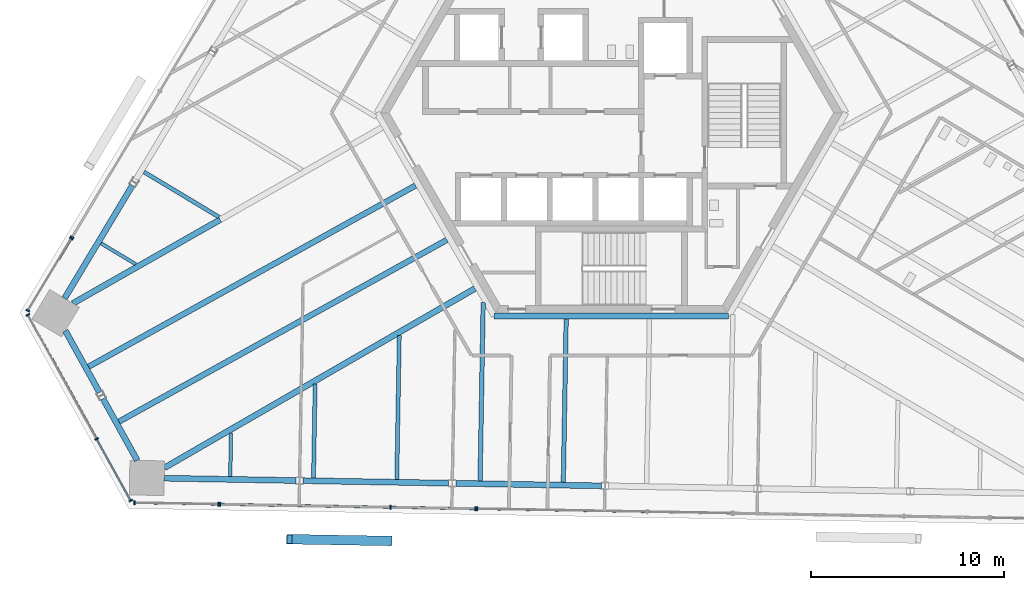
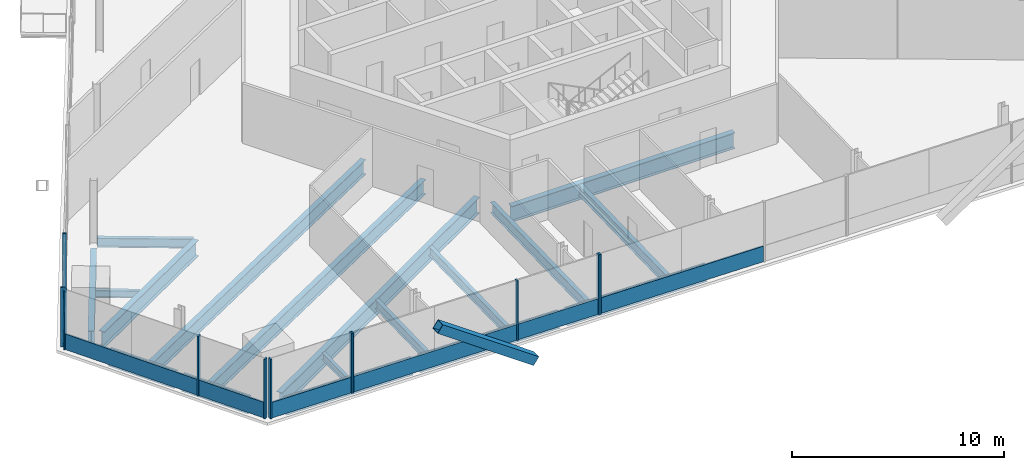
# One storey, part 4 of 19: 20 members, 18 beams, 6 elements without a shape of their own.
"""IFC4 building model written with IfcOpenShell, lengths in metres."""

from ifc_helpers import new_model, si_unit, direction, frame, origin, origin_2d, place, context, subcontext, project, spatial, rectangle, hollow_rectangle, i_section, extrude, source, transform, mapped, material, material_profile, profile_set, type_object, element, aggregate, save


model = new_model("IFC4")

# Units and contexts
model_context = context("Model", 3, precision=1e-05, world=origin(), true_north=direction((0.0, 1.0)))
body_context = subcontext(model_context, "Body", "Model", "MODEL_VIEW")
ifc_project = project(units=[si_unit("LENGTHUNIT", "METRE"), si_unit("AREAUNIT", "SQUARE_METRE"), si_unit("VOLUMEUNIT", "CUBIC_METRE"), si_unit("PLANEANGLEUNIT", "RADIAN"), si_unit("MASSUNIT", "GRAM", prefix="KILO")], contexts=[model_context])

# Site, building, storey
site_placement = place(None, origin())
site = spatial("IfcSite", under=ifc_project, at=site_placement, CompositionType="ELEMENT")
building_placement = place(site_placement, origin())
building = spatial("IfcBuilding", under=site, at=building_placement, Name="Triune Harvest Tower", CompositionType="ELEMENT")
storey_placement = place(building_placement, frame((0.0, 0.0, 205.10009765625)))
storey = spatial("IfcBuildingStorey", under=building, at=storey_placement, Name="L53", CompositionType="ELEMENT", Elevation=205.10009765625)

# Curtain wall, member
ifc_material_1 = material(Name="Aluminium bronze anodised", Category="aluminium")
curtain_wall_type_1 = type_object("IfcCurtainWallType", Name="CW-6 Balcony window wall", PredefinedType="NOTDEFINED", material=ifc_material_1)
curtain_wall_1_placement = place(storey_placement, origin())
curtain_wall_1 = element("IfcCurtainWall", 1, at=curtain_wall_1_placement, inside=storey, type_object=curtain_wall_type_1, Name="CW-6 B5-F3 L53 run 2002")
ifc_material_2 = material(Name="Aluminium bronze anodised", Category="aluminium")
ifc_material_profile_1 = material_profile(ifc_material_2, rectangle(XDim=0.090087890625, YDim=0.14990234375, at=origin_2d()), Name="TR-6 transom 90 x 150")
ifc_profile_set_1 = profile_set([ifc_material_profile_1], Name="Aluminium bronze anodised")
member_type_1 = type_object("IfcMemberType", Name="TR-6 transom 90 x 150", PredefinedType="USERDEFINED", material=ifc_profile_set_1)
member_1_placement = place(storey_placement, frame((-28.06201171875, -6.556396484375, 0.074951171875), z_axis=(-0.51505565598, -0.857156736684, 0.0), x_axis=(0.857156736684, -0.51505565598, 0.0)))
member_1 = element("IfcMember", 2, at=member_1_placement, type_object=member_type_1, Name="CW-6 transom B5-F3 2002.1", ObjectType="TRANSOM", PredefinedType="USERDEFINED", context=body_context, shape_type="SweptSolid", body=[
    extrude(rectangle(XDim=0.090087890625, YDim=0.14990234375, at=origin_2d()), origin(), (0.0, 0.0, 1.0), 4.29541015625),
])

# Beams
ifc_material_3 = material(Name="Steel ASTM A992 Gr 50", Category="steel")
ifc_material_profile_2 = material_profile(ifc_material_3, i_section(OverallWidth=0.3046875, OverallDepth=0.914306640625, WebThickness=0.0166015625, FlangeThickness=0.02587890625, at=origin_2d()), Name="W36x160")
ifc_profile_set_2 = profile_set([ifc_material_profile_2], Name="Steel ASTM A992 Gr 50")
beam_type_1 = type_object("IfcBeamType", Name="CG-1 Core ring girder W36x160", PredefinedType="BEAM", material=ifc_profile_set_2)
shared_shape_1 = source(origin(), body_context, "Body", "SweptSolid", [
    extrude(i_section(OverallWidth=0.3046875, OverallDepth=0.914306640625, WebThickness=0.0166015625, FlangeThickness=0.02587890625, at=origin_2d()), origin(), (0.0, 0.0, 1.0), 12.17578125),
])
beam_1_placement = place(storey_placement, frame((-6.087890625, -10.544677734375, -0.6171875), z_axis=(1.0, 0.0, 0.0), x_axis=(0.0, 1.0, 0.0)))
element("IfcBeam", 3, at=beam_1_placement, inside=storey, type_object=beam_type_1, Name="beam/L53/CG5", PredefinedType="BEAM", context=body_context, shape_type="MappedRepresentation", body=[
    mapped(shared_shape_1, transform((0.0, 0.0, 0.0), scale=1.0)),
])
ifc_material_4 = material(Name="Steel ASTM A992 Gr 50", Category="steel")
ifc_material_profile_3 = material_profile(ifc_material_4, i_section(OverallWidth=0.3046875, OverallDepth=0.914306640625, WebThickness=0.0166015625, FlangeThickness=0.02587890625, at=origin_2d()), Name="W36x160")
ifc_profile_set_3 = profile_set([ifc_material_profile_3], Name="Steel ASTM A992 Gr 50")
beam_type_2 = type_object("IfcBeamType", Name="SB-1 Spandrel beam W36x160", PredefinedType="SPANDREL", material=ifc_profile_set_3)
shared_shape_2 = source(origin(), body_context, "Body", "SweptSolid", [
    extrude(i_section(OverallWidth=0.3046875, OverallDepth=0.914306640625, WebThickness=0.0166015625, FlangeThickness=0.02587890625, at=origin_2d()), origin(), (0.0, 0.0, 1.0), 6.841796875),
])
for number, where, z_axis, x_axis, name in (
    (4, (-24.86865234375, -3.77001953125, -0.6171875), (-0.515057137128, -0.857155846678, 0.0), (0.857155846678, -0.515057137128, 0.0), "beam/L53/SB14"),
    (5, (-23.21630859375, -18.97265625, -0.6171875), (0.999847751763, -0.01744916312, 0.0), (0.01744916312, 0.999847751763, 0.0), "beam/L53/SB17"),
):
    element("IfcBeam", number, at=place(storey_placement, frame(where, z_axis=z_axis, x_axis=x_axis)), inside=storey, type_object=beam_type_2, Name=name, PredefinedType="SPANDREL", context=body_context, shape_type="MappedRepresentation", body=[
        mapped(shared_shape_2, transform((0.0, 0.0, 0.0), scale=1.0)),
    ])
shared_shape_3 = source(origin(), body_context, "Body", "SweptSolid", [
    extrude(i_section(OverallWidth=0.3046875, OverallDepth=0.914306640625, WebThickness=0.0166015625, FlangeThickness=0.02587890625, at=origin_2d()), origin(), (0.0, 0.0, 1.0), 7.556396484375),
])
for number, where, z_axis, x_axis, name in (
    (6, (-16.0048828125, -19.098388671875, -0.6171875), (0.99984722371, -0.017479394688, 0.0), (0.017479394688, 0.99984722371, 0.0), "beam/L53/SB18"),
    (7, (-8.078857421875, -19.23681640625, -0.6171875), (0.99984722371, -0.017479394688, 0.0), (0.017479394688, 0.99984722371, 0.0), "beam/L53/SB19"),
):
    element("IfcBeam", number, at=place(storey_placement, frame(where, z_axis=z_axis, x_axis=x_axis)), inside=storey, type_object=beam_type_2, Name=name, PredefinedType="SPANDREL", context=body_context, shape_type="MappedRepresentation", body=[
        mapped(shared_shape_3, transform((0.0, 0.0, 0.0), scale=1.0)),
    ])
shared_shape_4 = source(origin(), body_context, "Body", "SweptSolid", [
    extrude(i_section(OverallWidth=0.3046875, OverallDepth=0.914306640625, WebThickness=0.0166015625, FlangeThickness=0.02587890625, at=origin_2d()), origin(), (0.0, 0.0, 1.0), 3.66357421875),
])
beam_2_placement = place(storey_placement, frame((-26.396240234375, -14.84375, -0.6171875), z_axis=(0.484794006312, -0.874628361903, 0.0), x_axis=(0.874628361903, 0.484794006312, 0.0)))
element("IfcBeam", 8, at=beam_2_placement, inside=storey, type_object=beam_type_2, Name="beam/L53/SB16", PredefinedType="SPANDREL", context=body_context, shape_type="MappedRepresentation", body=[
    mapped(shared_shape_4, transform((0.0, 0.0, 0.0), scale=1.0)),
])
shared_shape_5 = source(origin(), body_context, "Body", "SweptSolid", [
    extrude(i_section(OverallWidth=0.3046875, OverallDepth=0.914306640625, WebThickness=0.0166015625, FlangeThickness=0.02587890625, at=origin_2d()), origin(), (0.0, 0.0, 1.0), 3.663818359375),
])
beam_3_placement = place(storey_placement, frame((-28.352294921875, -11.31494140625, -0.6171875), z_axis=(0.484844980499, -0.874600105697, 0.0), x_axis=(0.874600105697, 0.484844980499, 0.0)))
element("IfcBeam", 9, at=beam_3_placement, inside=storey, type_object=beam_type_2, Name="beam/L53/SB15", PredefinedType="SPANDREL", context=body_context, shape_type="MappedRepresentation", body=[
    mapped(shared_shape_5, transform((0.0, 0.0, 0.0), scale=1.0)),
])
ifc_material_5 = material(Name="Steel ASTM A992 Gr 50", Category="steel")
ifc_material_profile_4 = material_profile(ifc_material_5, i_section(OverallWidth=0.307373046875, OverallDepth=0.922119140625, WebThickness=0.018310546875, FlangeThickness=0.030029296875, at=origin_2d()), Name="W36x182")
ifc_profile_set_4 = profile_set([ifc_material_profile_4], Name="Steel ASTM A992 Gr 50")
beam_type_3 = type_object("IfcBeamType", Name="HG-2 Hip girder W36x182", PredefinedType="BEAM", material=ifc_profile_set_4)
shared_shape_6 = source(origin(), body_context, "Body", "SweptSolid", [
    extrude(i_section(OverallWidth=0.307373046875, OverallDepth=0.922119140625, WebThickness=0.018310546875, FlangeThickness=0.030029296875, at=origin_2d()), origin(), (0.0, 0.0, 1.0), 8.79150390625),
])
beam_4_placement = place(storey_placement, frame((-27.958251953125, -9.8955078125, -0.62109375), z_axis=(0.869275144509, 0.494328557883, 0.0), x_axis=(-0.494328557883, 0.869275144509, 0.0)))
element("IfcBeam", 10, at=beam_4_placement, inside=storey, type_object=beam_type_3, Name="beam/L53/HG5", PredefinedType="BEAM", context=body_context, shape_type="MappedRepresentation", body=[
    mapped(shared_shape_6, transform((0.0, 0.0, 0.0), scale=1.0)),
])
shared_shape_7 = source(origin(), body_context, "Body", "SweptSolid", [
    extrude(i_section(OverallWidth=0.307373046875, OverallDepth=0.922119140625, WebThickness=0.018310546875, FlangeThickness=0.030029296875, at=origin_2d()), origin(), (0.0, 0.0, 1.0), 18.616455078125),
])
beam_5_placement = place(storey_placement, frame((-23.206787109375, -18.431884765625, -0.62109375), z_axis=(0.866022449336, 0.50000511722, 0.0), x_axis=(-0.50000511722, 0.866022449336, 0.0)))
element("IfcBeam", 11, at=beam_5_placement, inside=storey, type_object=beam_type_3, Name="beam/L53/HG7", PredefinedType="BEAM", context=body_context, shape_type="MappedRepresentation", body=[
    mapped(shared_shape_7, transform((0.0, 0.0, 0.0), scale=1.0)),
])
ifc_material_6 = material(Name="Steel ASTM A992 Gr 50", Category="steel")
ifc_material_profile_5 = material_profile(ifc_material_6, i_section(OverallWidth=0.22900390625, OverallDepth=0.612060546875, WebThickness=0.011962890625, FlangeThickness=0.01953125, at=origin_2d()), Name="W24x84")
ifc_profile_set_5 = profile_set([ifc_material_profile_5], Name="Steel ASTM A992 Gr 50")
beam_type_4 = type_object("IfcBeamType", Name="JT-3 Floor joist W24x84", PredefinedType="JOIST", material=ifc_profile_set_5)
shared_shape_8 = source(origin(), body_context, "Body", "SweptSolid", [
    extrude(i_section(OverallWidth=0.22900390625, OverallDepth=0.612060546875, WebThickness=0.011962890625, FlangeThickness=0.01953125, at=origin_2d()), origin(), (0.0, 0.0, 1.0), 9.247314453125),
])
beam_6_placement = place(storey_placement, frame((-6.8203125, -19.1064453125, -0.46630859375), z_axis=(0.017451330541, 0.999847713936, 0.0), x_axis=(-0.999847713936, 0.017451330541, 0.0)))
element("IfcBeam", 12, at=beam_6_placement, inside=storey, type_object=beam_type_4, Name="beam/L53/JT28", PredefinedType="JOIST", context=body_context, shape_type="MappedRepresentation", body=[
    mapped(shared_shape_8, transform((0.0, 0.0, 0.0), scale=1.0)),
])
shared_shape_9 = source(origin(), body_context, "Body", "SweptSolid", [
    extrude(i_section(OverallWidth=0.22900390625, OverallDepth=0.612060546875, WebThickness=0.011962890625, FlangeThickness=0.01953125, at=origin_2d()), origin(), (0.0, 0.0, 1.0), 8.486083984375),
])
beam_7_placement = place(storey_placement, frame((-2.4970703125, -19.181884765625, -0.46630859375), z_axis=(0.017434191628, 0.999848012931, 0.0), x_axis=(-0.999848012931, 0.017434191628, 0.0)))
element("IfcBeam", 13, at=beam_7_placement, inside=storey, type_object=beam_type_4, Name="beam/L53/JT29", PredefinedType="JOIST", context=body_context, shape_type="MappedRepresentation", body=[
    mapped(shared_shape_9, transform((0.0, 0.0, 0.0), scale=1.0)),
])
ifc_material_7 = material(Name="Steel ASTM A992 Gr 50", Category="steel")
ifc_material_profile_6 = material_profile(ifc_material_7, i_section(OverallWidth=0.2099609375, OverallDepth=0.535888671875, WebThickness=0.010986328125, FlangeThickness=0.017333984375, at=origin_2d()), Name="W21x68")
ifc_profile_set_6 = profile_set([ifc_material_profile_6], Name="Steel ASTM A992 Gr 50")
beam_type_5 = type_object("IfcBeamType", Name="JT-2 Floor joist W21x68", PredefinedType="JOIST", material=ifc_profile_set_6)
shared_shape_10 = source(origin(), body_context, "Body", "SweptSolid", [
    extrude(i_section(OverallWidth=0.2099609375, OverallDepth=0.535888671875, WebThickness=0.010986328125, FlangeThickness=0.017333984375, at=origin_2d()), origin(), (0.0, 0.0, 1.0), 4.538818359375),
])
beam_8_placement = place(storey_placement, frame((-24.271484375, -3.072021484375, -0.427978515625), z_axis=(0.85717477652, -0.515025632855, 0.0), x_axis=(0.515025632855, 0.85717477652, 0.0)))
element("IfcBeam", 14, at=beam_8_placement, inside=storey, type_object=beam_type_5, Name="beam/L53/JT21", PredefinedType="JOIST", context=body_context, shape_type="MappedRepresentation", body=[
    mapped(shared_shape_10, transform((0.0, 0.0, 0.0), scale=1.0)),
])
ifc_material_8 = material(Name="Steel ASTM A992 Gr 50", Category="steel")
ifc_material_profile_7 = material_profile(ifc_material_8, i_section(OverallWidth=0.2919921875, OverallDepth=0.8408203125, WebThickness=0.0146484375, FlangeThickness=0.021728515625, at=origin_2d()), Name="W33x130")
ifc_profile_set_7 = profile_set([ifc_material_profile_7], Name="Steel ASTM A992 Gr 50")
beam_type_6 = type_object("IfcBeamType", Name="JT-6 Floor joist W33x130", PredefinedType="JOIST", material=ifc_profile_set_7)
shared_shape_11 = source(origin(), body_context, "Body", "SweptSolid", [
    extrude(i_section(OverallWidth=0.2919921875, OverallDepth=0.8408203125, WebThickness=0.0146484375, FlangeThickness=0.021728515625, at=origin_2d()), origin(), (0.0, 0.0, 1.0), 19.403564453125),
])
beam_9_placement = place(storey_placement, frame((-27.142822265625, -13.1826171875, -0.58056640625), z_axis=(0.874615069694, 0.484817986325, 0.0), x_axis=(-0.484817986325, 0.874615069694, 0.0)))
element("IfcBeam", 15, at=beam_9_placement, inside=storey, type_object=beam_type_6, Name="beam/L53/JT23", PredefinedType="JOIST", context=body_context, shape_type="MappedRepresentation", body=[
    mapped(shared_shape_11, transform((0.0, 0.0, 0.0), scale=1.0)),
])
shared_shape_12 = source(origin(), body_context, "Body", "SweptSolid", [
    extrude(i_section(OverallWidth=0.2919921875, OverallDepth=0.8408203125, WebThickness=0.0146484375, FlangeThickness=0.021728515625, at=origin_2d()), origin(), (0.0, 0.0, 1.0), 19.460205078125),
])
beam_10_placement = place(storey_placement, frame((-25.562744140625, -16.03271484375, -0.58056640625), z_axis=(0.874617874633, 0.484812926161, 0.0), x_axis=(-0.484812926161, 0.874617874633, 0.0)))
element("IfcBeam", 16, at=beam_10_placement, inside=storey, type_object=beam_type_6, Name="beam/L53/JT24", PredefinedType="JOIST", context=body_context, shape_type="MappedRepresentation", body=[
    mapped(shared_shape_12, transform((0.0, 0.0, 0.0), scale=1.0)),
])
shared_shape_13 = source(origin(), body_context, "Body", "SweptSolid", [
    extrude(i_section(OverallWidth=0.2099609375, OverallDepth=0.535888671875, WebThickness=0.010986328125, FlangeThickness=0.017333984375, at=origin_2d()), origin(), (0.0, 0.0, 1.0), 4.864501953125),
])
beam_11_placement = place(storey_placement, frame((-15.467041015625, -18.95556640625, -0.427978515625), z_axis=(0.017465461228, 0.999847467199, 0.0), x_axis=(-0.999847467199, 0.017465461228, 0.0)))
element("IfcBeam", 17, at=beam_11_placement, inside=storey, type_object=beam_type_5, Name="beam/L53/JT26", PredefinedType="JOIST", context=body_context, shape_type="MappedRepresentation", body=[
    mapped(shared_shape_13, transform((0.0, 0.0, 0.0), scale=1.0)),
])
ifc_material_9 = material(Name="Steel ASTM A992 Gr 50", Category="steel")
ifc_material_profile_8 = material_profile(ifc_material_9, i_section(OverallWidth=0.180908203125, OverallDepth=0.41650390625, WebThickness=0.010986328125, FlangeThickness=0.01806640625, at=origin_2d()), Name="W16x57")
ifc_profile_set_8 = profile_set([ifc_material_profile_8], Name="Steel ASTM A992 Gr 50")
beam_type_7 = type_object("IfcBeamType", Name="JT-1 Floor joist W16x57", PredefinedType="JOIST", material=ifc_profile_set_8)
shared_shape_14 = source(origin(), body_context, "Body", "SweptSolid", [
    extrude(i_section(OverallWidth=0.180908203125, OverallDepth=0.41650390625, WebThickness=0.010986328125, FlangeThickness=0.01806640625, at=origin_2d()), origin(), (0.0, 0.0, 1.0), 2.104736328125),
])
beam_12_placement = place(storey_placement, frame((-26.498291015625, -6.7783203125, -0.368408203125), z_axis=(0.857185733632, -0.51500739612, 0.0), x_axis=(0.51500739612, 0.857185733632, 0.0)))
element("IfcBeam", 18, at=beam_12_placement, inside=storey, type_object=beam_type_7, Name="beam/L53/JT22", PredefinedType="JOIST", context=body_context, shape_type="MappedRepresentation", body=[
    mapped(shared_shape_14, transform((0.0, 0.0, 0.0), scale=1.0)),
])
shared_shape_15 = source(origin(), body_context, "Body", "SweptSolid", [
    extrude(i_section(OverallWidth=0.180908203125, OverallDepth=0.41650390625, WebThickness=0.010986328125, FlangeThickness=0.01806640625, at=origin_2d()), origin(), (0.0, 0.0, 1.0), 2.26611328125),
])
beam_13_placement = place(storey_placement, frame((-19.790283203125, -18.8798828125, -0.368408203125), z_axis=(0.017452357155, 0.999847696017, 0.0), x_axis=(-0.999847696017, 0.017452357155, 0.0)))
element("IfcBeam", 19, at=beam_13_placement, inside=storey, type_object=beam_type_7, Name="beam/L53/JT25", PredefinedType="JOIST", context=body_context, shape_type="MappedRepresentation", body=[
    mapped(shared_shape_15, transform((0.0, 0.0, 0.0), scale=1.0)),
])
shared_shape_16 = source(origin(), body_context, "Body", "SweptSolid", [
    extrude(i_section(OverallWidth=0.2099609375, OverallDepth=0.535888671875, WebThickness=0.010986328125, FlangeThickness=0.017333984375, at=origin_2d()), origin(), (0.0, 0.0, 1.0), 7.462890625),
])
beam_14_placement = place(storey_placement, frame((-11.143798828125, -19.031005859375, -0.427978515625), z_axis=(0.017469440512, 0.99984739768, 0.0), x_axis=(-0.99984739768, 0.017469440512, 0.0)))
element("IfcBeam", 20, at=beam_14_placement, inside=storey, type_object=beam_type_5, Name="beam/L53/JT27", PredefinedType="JOIST", context=body_context, shape_type="MappedRepresentation", body=[
    mapped(shared_shape_16, transform((0.0, 0.0, 0.0), scale=1.0)),
])

# Member
ifc_material_10 = material(Name="Steel ASTM A572 Gr 50", Category="steel")
ifc_material_profile_9 = material_profile(ifc_material_10, hollow_rectangle(XDim=0.5, YDim=0.5, WallThickness=0.030029296875, at=origin_2d()), Name="Box 500x500x30")
ifc_profile_set_9 = profile_set([ifc_material_profile_9], Name="Steel ASTM A572 Gr 50")
member_type_2 = type_object("IfcMemberType", Name="BR-3 Brace Box 500x500x30", PredefinedType="BRACE", material=ifc_profile_set_9)
shared_shape_17 = source(origin(), body_context, "Body", "SweptSolid", [
    extrude(hollow_rectangle(XDim=0.5, YDim=0.5, WallThickness=0.030029296875, at=origin_2d()), origin(), (0.0, 0.0, 1.0), 6.302734375),
])
member_2_placement = place(storey_placement, frame((-11.54443359375, -22.22900390625, 0.0), z_axis=(-0.820720607843, 0.014332009859, 0.57114996048), x_axis=(-0.017460052757, -0.99984756166, 0.0)))
element("IfcMember", 21, at=member_2_placement, inside=storey, type_object=member_type_2, Name="brace/B5-F5/d2/8", PredefinedType="BRACE", context=body_context, shape_type="MappedRepresentation", body=[
    mapped(shared_shape_17, transform((0.0, 0.0, 0.0), scale=1.0)),
])

# Curtain wall, members
ifc_material_11 = material(Name="Aluminium bronze anodised", Category="aluminium")
curtain_wall_type_2 = type_object("IfcCurtainWallType", Name="CW-1 Tower stick curtain wall", PredefinedType="NOTDEFINED", material=ifc_material_11)
curtain_wall_2_placement = place(storey_placement, origin())
curtain_wall_2 = element("IfcCurtainWall", 22, at=curtain_wall_2_placement, inside=storey, type_object=curtain_wall_type_2, Name="CW-1 B5-F4 L53 run 1")
ifc_material_12 = material(Name="Aluminium bronze anodised", Category="aluminium")
ifc_material_profile_10 = material_profile(ifc_material_12, rectangle(XDim=0.199951171875, YDim=0.074951171875, at=origin_2d()), Name="MU-1 mullion 75 x 200")
ifc_profile_set_10 = profile_set([ifc_material_profile_10], Name="Aluminium bronze anodised")
member_type_3 = type_object("IfcMemberType", Name="MU-1 mullion 75 x 200", PredefinedType="MULLION", material=ifc_profile_set_10)
shared_shape_18 = source(origin(), body_context, "Body", "SweptSolid", [
    extrude(rectangle(XDim=0.199951171875, YDim=0.074951171875, at=origin_2d()), origin(), (0.0, 0.0, 1.0), 3.43994140625),
])
member_3_placement = place(storey_placement, frame((-30.297607421875, -10.4912109375, 0.0), z_axis=(0.0, 0.0, 1.0), x_axis=(0.874623958582, 0.484801950362, 0.0)))
member_3 = element("IfcMember", 23, at=member_3_placement, type_object=member_type_3, Name="CW-1 mullion B5-F4 1.1", PredefinedType="MULLION", context=body_context, shape_type="MappedRepresentation", body=[
    mapped(shared_shape_18, transform((0.0, 0.0, 0.0), scale=1.0)),
])
member_4_placement = place(storey_placement, frame((-26.72802734375, -16.930908203125, 0.0), z_axis=(0.0, 0.0, 1.0), x_axis=(0.874623958582, 0.484801950362, 0.0)))
member_4 = element("IfcMember", 24, at=member_4_placement, type_object=member_type_3, Name="CW-1 mullion B5-F4 1.3", PredefinedType="MULLION", context=body_context, shape_type="MappedRepresentation", body=[
    mapped(shared_shape_18, transform((0.0, 0.0, 0.0), scale=1.0)),
])
member_5_placement = place(storey_placement, frame((-24.952392578125, -20.13427734375, 0.0), z_axis=(0.0, 0.0, 1.0), x_axis=(0.874623958582, 0.484801950362, 0.0)))
member_5 = element("IfcMember", 25, at=member_5_placement, type_object=member_type_3, Name="CW-1 mullion B5-F4 1.4", PredefinedType="MULLION", context=body_context, shape_type="MappedRepresentation", body=[
    mapped(shared_shape_18, transform((0.0, 0.0, 0.0), scale=1.0)),
])

curtain_wall_3_placement = place(storey_placement, origin())
curtain_wall_3 = element("IfcCurtainWall", 26, at=curtain_wall_3_placement, inside=storey, type_object=curtain_wall_type_2, Name="CW-1 B5-F5 L53 run 1")
member_6_placement = place(storey_placement, frame((-24.76318359375, -20.248046875, 0.0), z_axis=(0.0, 0.0, 1.0), x_axis=(0.017444710149, 0.999847829466, 0.0)))
member_6 = element("IfcMember", 27, at=member_6_placement, type_object=member_type_3, Name="CW-1 mullion B5-F5 1.1", PredefinedType="MULLION", context=body_context, shape_type="MappedRepresentation", body=[
    mapped(shared_shape_18, transform((0.0, 0.0, 0.0), scale=1.0)),
])
member_7_placement = place(storey_placement, frame((-20.39453125, -20.32421875, 0.0), z_axis=(0.0, 0.0, 1.0), x_axis=(0.017444710149, 0.999847829466, 0.0)))
member_7 = element("IfcMember", 28, at=member_7_placement, type_object=member_type_3, Name="CW-1 mullion B5-F5 1.2", PredefinedType="MULLION", context=body_context, shape_type="MappedRepresentation", body=[
    mapped(shared_shape_18, transform((0.0, 0.0, 0.0), scale=1.0)),
])

ifc_material_13 = material(Name="Aluminium bronze anodised", Category="aluminium")
curtain_wall_type_3 = type_object("IfcCurtainWallType", Name="CW-7 Tower stick curtain wall with insulated spandrel infill", PredefinedType="NOTDEFINED", material=ifc_material_13)
curtain_wall_4_placement = place(storey_placement, origin())
curtain_wall_4 = element("IfcCurtainWall", 29, at=curtain_wall_4_placement, inside=storey, type_object=curtain_wall_type_3, Name="CW-7 B5-F5 L53 run 1001")
member_8_placement = place(storey_placement, frame((-20.319580078125, -20.325439453125, 0.0), z_axis=(0.0, 0.0, 1.0), x_axis=(0.017453157774, 0.999847682041, 0.0)))
member_8 = element("IfcMember", 30, at=member_8_placement, type_object=member_type_3, Name="CW-7 mullion B5-F5 1001.1", PredefinedType="MULLION", context=body_context, shape_type="MappedRepresentation", body=[
    mapped(shared_shape_18, transform((0.0, 0.0, 0.0), scale=1.0)),
])
member_9_placement = place(storey_placement, frame((-11.4697265625, -20.47998046875, 0.0), z_axis=(0.0, 0.0, 1.0), x_axis=(0.017453157774, 0.999847682041, 0.0)))
member_9 = element("IfcMember", 31, at=member_9_placement, type_object=member_type_3, Name="CW-7 mullion B5-F5 1001.3", PredefinedType="MULLION", context=body_context, shape_type="MappedRepresentation", body=[
    mapped(shared_shape_18, transform((0.0, 0.0, 0.0), scale=1.0)),
])
member_10_placement = place(storey_placement, frame((-7.063720703125, -20.556884765625, 0.0), z_axis=(0.0, 0.0, 1.0), x_axis=(0.017453157774, 0.999847682041, 0.0)))
member_10 = element("IfcMember", 32, at=member_10_placement, type_object=member_type_3, Name="CW-7 mullion B5-F5 1001.4", PredefinedType="MULLION", context=body_context, shape_type="MappedRepresentation", body=[
    mapped(shared_shape_18, transform((0.0, 0.0, 0.0), scale=1.0)),
])

# Curtain wall, member
curtain_wall_5_placement = place(storey_placement, origin())
curtain_wall_5 = element("IfcCurtainWall", 33, at=curtain_wall_5_placement, inside=storey, type_object=curtain_wall_type_2, Name="CW-1 B5-F5 L53 run 2001")
member_11_placement = place(storey_placement, frame((-6.98876953125, -20.558349609375, 0.0), z_axis=(0.0, 0.0, 1.0), x_axis=(0.017453288654, 0.999847679757, 0.0)))
member_11 = element("IfcMember", 34, at=member_11_placement, type_object=member_type_3, Name="CW-1 mullion B5-F5 2001.1", PredefinedType="MULLION", context=body_context, shape_type="MappedRepresentation", body=[
    mapped(shared_shape_18, transform((0.0, 0.0, 0.0), scale=1.0)),
])

ifc_material_14 = material(Name="Aluminium bronze anodised", Category="aluminium")
curtain_wall_type_4 = type_object("IfcCurtainWallType", Name="CW-10 Balcony window wall with insulated spandrel infill", PredefinedType="NOTDEFINED", material=ifc_material_14)
curtain_wall_6_placement = place(storey_placement, origin())
curtain_wall_6 = element("IfcCurtainWall", 35, at=curtain_wall_6_placement, inside=storey, type_object=curtain_wall_type_4, Name="CW-10 B5-F3 L53 run 1002")
ifc_material_15 = material(Name="Aluminium bronze anodised", Category="aluminium")
ifc_material_profile_11 = material_profile(ifc_material_15, rectangle(XDim=0.199951171875, YDim=0.074951171875, at=origin_2d()), Name="MU-6 mullion 75 x 200")
ifc_profile_set_11 = profile_set([ifc_material_profile_11], Name="Aluminium bronze anodised")
member_type_4 = type_object("IfcMemberType", Name="MU-6 mullion 75 x 200", PredefinedType="MULLION", material=ifc_profile_set_11)
shared_shape_19 = source(origin(), body_context, "Body", "SweptSolid", [
    extrude(rectangle(XDim=0.199951171875, YDim=0.074951171875, at=origin_2d()), origin(), (0.0, 0.0, 1.0), 3.43994140625),
])
member_12_placement = place(storey_placement, frame((-28.00390625, -6.4599609375, 0.0), z_axis=(0.0, 0.0, 1.0), x_axis=(0.857169238928, -0.515034849147, 0.0)))
member_12 = element("IfcMember", 36, at=member_12_placement, type_object=member_type_4, Name="CW-10 mullion B5-F3 1002.5", PredefinedType="MULLION", context=body_context, shape_type="MappedRepresentation", body=[
    mapped(shared_shape_19, transform((0.0, 0.0, 0.0), scale=1.0)),
])
aggregate(curtain_wall_6, [member_12])

# Member
member_13_placement = place(storey_placement, frame((-28.042724609375, -6.524169921875, 0.0), z_axis=(0.0, 0.0, 1.0), x_axis=(0.857169856601, -0.515033821156, 0.0)))
member_13 = element("IfcMember", 37, at=member_13_placement, type_object=member_type_4, Name="CW-6 mullion B5-F3 2002.1", PredefinedType="MULLION", context=body_context, shape_type="MappedRepresentation", body=[
    mapped(shared_shape_19, transform((0.0, 0.0, 0.0), scale=1.0)),
])

member_14_placement = place(storey_placement, frame((-30.293701171875, -10.2705078125, 0.0), z_axis=(0.0, 0.0, 1.0), x_axis=(0.857169856601, -0.515033821156, 0.0)))
member_14 = element("IfcMember", 38, at=member_14_placement, type_object=member_type_4, Name="CW-6 mullion B5-F3 2002.2", PredefinedType="MULLION", context=body_context, shape_type="MappedRepresentation", body=[
    mapped(shared_shape_19, transform((0.0, 0.0, 0.0), scale=1.0)),
])

aggregate(curtain_wall_1, [member_13, member_14, member_1])

ifc_material_16 = material(Name="Aluminium bronze anodised", Category="aluminium")
ifc_material_profile_12 = material_profile(ifc_material_16, rectangle(XDim=0.090087890625, YDim=0.89990234375, at=origin_2d()), Name="TR-1 transom 90 x 900")
ifc_profile_set_12 = profile_set([ifc_material_profile_12], Name="Aluminium bronze anodised")
member_type_5 = type_object("IfcMemberType", Name="TR-1 transom 90 x 900", PredefinedType="USERDEFINED", material=ifc_profile_set_12)
shared_shape_20 = source(origin(), body_context, "Body", "SweptSolid", [
    extrude(rectangle(XDim=0.090087890625, YDim=0.89990234375, at=origin_2d()), origin(), (0.0, 0.0, 1.0), 7.28759765625),
])
member_15_placement = place(storey_placement, frame((-30.279296875, -10.524169921875, 0.449951171875), z_axis=(0.484786537831, -0.874632501533, 0.0), x_axis=(0.874632501533, 0.484786537831, 0.0)))
member_15 = element("IfcMember", 39, at=member_15_placement, type_object=member_type_5, Name="CW-1 transom B5-F4 1.1", ObjectType="TRANSOM", PredefinedType="USERDEFINED", context=body_context, shape_type="MappedRepresentation", body=[
    mapped(shared_shape_20, transform((0.0, 0.0, 0.0), scale=1.0)),
])

shared_shape_21 = source(origin(), body_context, "Body", "SweptSolid", [
    extrude(rectangle(XDim=0.090087890625, YDim=0.89990234375, at=origin_2d()), origin(), (0.0, 0.0, 1.0), 3.587646484375),
])
member_16_placement = place(storey_placement, frame((-26.7099609375, -16.963623046875, 0.449951171875), z_axis=(0.484781810323, -0.874635121854, 0.0), x_axis=(0.874635121854, 0.484781810323, 0.0)))
member_16 = element("IfcMember", 40, at=member_16_placement, type_object=member_type_5, Name="CW-1 transom B5-F4 1.2", ObjectType="TRANSOM", PredefinedType="USERDEFINED", context=body_context, shape_type="MappedRepresentation", body=[
    mapped(shared_shape_21, transform((0.0, 0.0, 0.0), scale=1.0)),
])

aggregate(curtain_wall_2, [member_3, member_4, member_5, member_15, member_16])

shared_shape_22 = source(origin(), body_context, "Body", "SweptSolid", [
    extrude(rectangle(XDim=0.090087890625, YDim=0.89990234375, at=origin_2d()), origin(), (0.0, 0.0, 1.0), 8.77587890625),
])
member_17_placement = place(storey_placement, frame((-20.281982421875, -20.326171875, 0.449951171875), z_axis=(0.999847380668, -0.017470414153, 0.0), x_axis=(0.017470414153, 0.999847380668, 0.0)))
member_17 = element("IfcMember", 41, at=member_17_placement, type_object=member_type_5, Name="CW-7 transom B5-F5 1001.1", ObjectType="TRANSOM", PredefinedType="USERDEFINED", context=body_context, shape_type="MappedRepresentation", body=[
    mapped(shared_shape_22, transform((0.0, 0.0, 0.0), scale=1.0)),
])

member_18_placement = place(storey_placement, frame((-6.951171875, -20.558837890625, 0.449951171875), z_axis=(0.999847380668, -0.017470414153, 0.0), x_axis=(0.017470414153, 0.999847380668, 0.0)))
member_18 = element("IfcMember", 42, at=member_18_placement, type_object=member_type_5, Name="CW-1 transom B5-F5 2001.1", ObjectType="TRANSOM", PredefinedType="USERDEFINED", context=body_context, shape_type="MappedRepresentation", body=[
    mapped(shared_shape_22, transform((0.0, 0.0, 0.0), scale=1.0)),
])

aggregate(curtain_wall_5, [member_11, member_18])

shared_shape_23 = source(origin(), body_context, "Body", "SweptSolid", [
    extrude(rectangle(XDim=0.090087890625, YDim=0.89990234375, at=origin_2d()), origin(), (0.0, 0.0, 1.0), 4.33203125),
])
member_19_placement = place(storey_placement, frame((-11.432373046875, -20.480712890625, 0.449951171875), z_axis=(0.999847370753, -0.017470981621, 0.0), x_axis=(0.017470981621, 0.999847370753, 0.0)))
member_19 = element("IfcMember", 43, at=member_19_placement, type_object=member_type_5, Name="CW-7 transom B5-F5 1001.2", ObjectType="TRANSOM", PredefinedType="USERDEFINED", context=body_context, shape_type="MappedRepresentation", body=[
    mapped(shared_shape_23, transform((0.0, 0.0, 0.0), scale=1.0)),
])

aggregate(curtain_wall_4, [member_8, member_9, member_10, member_17, member_19])

shared_shape_24 = source(origin(), body_context, "Body", "SweptSolid", [
    extrude(rectangle(XDim=0.090087890625, YDim=0.89990234375, at=origin_2d()), origin(), (0.0, 0.0, 1.0), 4.29443359375),
])
member_20_placement = place(storey_placement, frame((-24.7255859375, -20.248779296875, 0.449951171875), z_axis=(0.999848668012, -0.017396582272, 0.0), x_axis=(0.017396582272, 0.999848668012, 0.0)))
member_20 = element("IfcMember", 44, at=member_20_placement, type_object=member_type_5, Name="CW-1 transom B5-F5 1.1", ObjectType="TRANSOM", PredefinedType="USERDEFINED", context=body_context, shape_type="MappedRepresentation", body=[
    mapped(shared_shape_24, transform((0.0, 0.0, 0.0), scale=1.0)),
])

aggregate(curtain_wall_3, [member_6, member_7, member_20])

save(model, "model.ifc")
